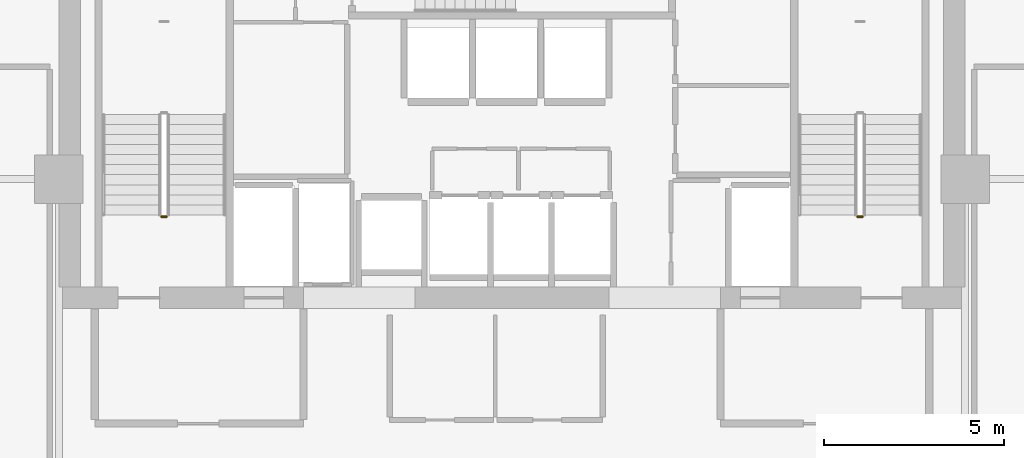
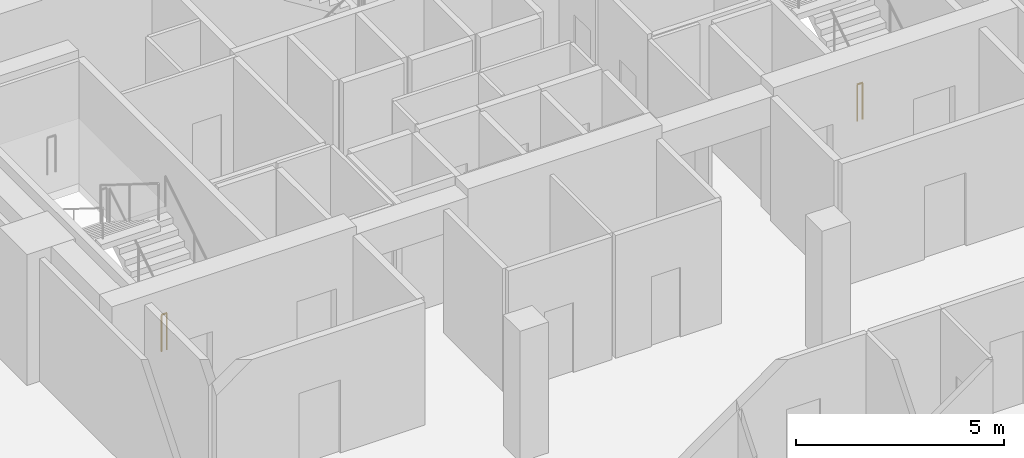
# One storey, part 22 of 24: 2 railings.
"""IFC4 building model written with IfcOpenShell, lengths in metres."""

import ifcopenshell
import ifcopenshell.guid

model = None  # the IFC model being written
_history = None  # IfcOwnerHistory: only IFC2X3 demands one
_inside = {}  # id of a spatial element -> (the spatial element, [elements in it])
_under = {}  # id of a project, library or spatial element -> (it, [spatial elements below it])
_declared = {}  # id of a project -> (the project, [libraries it declares])
_typed = {}  # id of a type object -> (the type object, [elements of that type])
_made_of = {}  # id of a material, layer set ... -> (it, [elements and type objects made of it])


def new_model(schema):
    """Start an empty IFC model of exactly this schema.

    Asked for "IFC4X3", IfcOpenShell would pick the latest addendum, in which some entities
    have other attributes; the version numbers below select the first issue.
    IFC2X3 requires an IfcOwnerHistory on every rooted entity: one is made here for all.
    """
    global model, _history
    if schema == "IFC4X3":
        model = ifcopenshell.file(schema_version=(4, 3, 0, 0))
    else:
        model = ifcopenshell.file(schema=schema)
    _inside.clear()
    _under.clear()
    _declared.clear()
    _typed.clear()
    _made_of.clear()
    _history = None
    if model.schema == "IFC2X3":
        org = make("IfcOrganization", Name="unknown")
        user = make(
            "IfcPersonAndOrganization",
            ThePerson=make("IfcPerson", FamilyName="unknown"),
            TheOrganization=org,
        )
        app = make(
            "IfcApplication",
            ApplicationDeveloper=org,
            Version="unknown",
            ApplicationFullName="unknown",
            ApplicationIdentifier="unknown",
        )
        _history = make(
            "IfcOwnerHistory",
            OwningUser=user,
            OwningApplication=app,
            ChangeAction="ADDED",
            CreationDate=0,
        )
    return model


def make(cls, **values):
    """One entity of the class cls with the attributes given. An attribute that is None is left unset."""
    return model.create_entity(
        cls, **{name: value for name, value in values.items() if value is not None}
    )


def rooted(cls, **values):
    """An entity with a GlobalId (a new one), such as an element, a storey or a relation."""
    return make(cls, GlobalId=ifcopenshell.guid.new(), OwnerHistory=_history, **values)


def si_unit(unit_type, name, prefix=None):
    """IfcSIUnit, for example si_unit("LENGTHUNIT", "METRE", prefix="MILLI")."""
    return make("IfcSIUnit", UnitType=unit_type, Prefix=prefix, Name=name)


def assignment(units):
    """IfcUnitAssignment: the units of a project."""
    return None if units is None else make("IfcUnitAssignment", Units=units)


def point(xyz):
    """IfcCartesianPoint."""
    return None if xyz is None else make("IfcCartesianPoint", Coordinates=xyz)


def direction(xyz):
    """IfcDirection."""
    return None if xyz is None else make("IfcDirection", DirectionRatios=xyz)


def frame(location, z_axis=None, x_axis=None):
    """IfcAxis2Placement3D, a coordinate frame: its origin and axes. An axis left out is left unset."""
    return make(
        "IfcAxis2Placement3D",
        Location=point(location),
        Axis=direction(z_axis),
        RefDirection=direction(x_axis),
    )


def frame_2d(location, x_axis=None):
    """IfcAxis2Placement2D, a coordinate frame in the plane: its origin and x axis."""
    return make(
        "IfcAxis2Placement2D", Location=point(location), RefDirection=direction(x_axis)
    )


def origin():
    """The frame at (0, 0, 0) with its axes left unset."""
    return frame((0.0, 0.0, 0.0))


def origin_2d():
    """The frame at (0, 0) in the plane with its x axis left unset."""
    return frame_2d((0.0, 0.0))


def place(relative_to, where):
    """IfcLocalPlacement: puts the frame where relative to a parent placement (None: the world)."""
    return make(
        "IfcLocalPlacement", PlacementRelTo=relative_to, RelativePlacement=where
    )


def context(
    kind, dimensions, precision=None, world=None, true_north=None, identifier=None
):
    """IfcGeometricRepresentationContext, for example the 3D "Model" context."""
    return make(
        "IfcGeometricRepresentationContext",
        ContextIdentifier=identifier,
        ContextType=kind,
        CoordinateSpaceDimension=dimensions,
        Precision=precision,
        WorldCoordinateSystem=world,
        TrueNorth=true_north,
    )


def subcontext(parent, identifier, kind, view, scale=None):
    """IfcGeometricRepresentationSubContext, for example "Body" below "Model"."""
    return make(
        "IfcGeometricRepresentationSubContext",
        ContextIdentifier=identifier,
        ContextType=kind,
        ParentContext=parent,
        TargetScale=scale,
        TargetView=view,
    )


def project(units=None, contexts=None):
    """IfcProject with its units and contexts."""
    return rooted(
        "IfcProject",
        Name="project",
        RepresentationContexts=contexts,
        UnitsInContext=assignment(units),
    )


def spatial(cls, under=None, at=None, **own):
    """A site, building, storey or space (cls), placed at a placement, below another one or the project."""
    s = rooted(cls, ObjectPlacement=at, **own)
    if under is not None:
        _under.setdefault(under.id(), (under, []))[1].append(s)
    return s


def profile(cls, at=None, kind="AREA", **sizes):
    """A parametric profile (cls). Its sizes go by their IFC names, for example OverallWidth=200.0."""
    return make(cls, ProfileType=kind, Position=at, **sizes)


def circle(**sizes):
    """IfcCircleProfileDef."""
    return profile("IfcCircleProfileDef", **sizes)


def extrude(swept, where, along, depth):
    """IfcExtrudedAreaSolid: the profile swept, set in the frame where, extruded along a direction by depth."""
    return make(
        "IfcExtrudedAreaSolid",
        SweptArea=swept,
        Position=where,
        ExtrudedDirection=direction(along),
        Depth=depth,
    )


def shape(context_of_items, identifier, shape_type, items):
    """IfcShapeRepresentation: the items that make up one representation, for example the "Body"."""
    return make(
        "IfcShapeRepresentation",
        ContextOfItems=context_of_items,
        RepresentationIdentifier=identifier,
        RepresentationType=shape_type,
        Items=items,
    )


def material(Name=None, Category=None):
    """IfcMaterial."""
    return make("IfcMaterial", Name=Name, Category=Category)


def made_of(thing, what):
    """Note that an element or type object is made of a material, layer set ...; save() writes the relation."""
    if what is not None:
        _made_of.setdefault(what.id(), (what, []))[1].append(thing)
    return thing


def type_object(cls, material=None, **own):
    """A type object (cls), such as IfcWallType, which elements share."""
    return made_of(rooted(cls, **own), material)


def element(
    cls,
    number,
    at=None,
    inside=None,
    cuts=None,
    type_object=None,
    material=None,
    context=None,
    identifier="Body",
    shape_type=None,
    held_by="IfcProductDefinitionShape",
    body=None,
    shapes=None,
    **own,
):
    """One element of the class cls, such as IfcWall. Its Tag is "e" and its number.

    at: its placement. inside: the storey or other place that contains it. cuts: it is an
    opening in that element (IfcRelVoidsElement). A single representation is given by context,
    identifier, shape_type and body (its items); several are given by shapes. held_by: the class
    of the entity that holds the representations. save() writes the other relations.
    """
    e = rooted(cls, Tag="e%d" % number, ObjectPlacement=at, **own)
    if body is not None:
        shapes = [shape(context, identifier, shape_type, body)]
    if shapes is not None:
        e.Representation = make(held_by, Representations=shapes)
    if inside is not None:
        _inside.setdefault(inside.id(), (inside, []))[1].append(e)
    if cuts is not None:
        rooted(
            "IfcRelVoidsElement", RelatingBuildingElement=cuts, RelatedOpeningElement=e
        )
    if type_object is not None:
        _typed.setdefault(type_object.id(), (type_object, []))[1].append(e)
    return made_of(e, material)


def aggregate(whole, parts):
    """IfcRelAggregates: a whole, such as a stair, and the parts it consists of."""
    return rooted("IfcRelAggregates", RelatingObject=whole, RelatedObjects=parts)


def save(model, path):
    """Write the relations noted so far, then the file.

    IfcRelAggregates (storeys below a building ...), IfcRelContainedInSpatialStructure (elements
    in a storey), IfcRelDefinesByType, IfcRelAssociatesMaterial and IfcRelDeclares: one each for
    every whole, place, type object, material and project.
    """
    for whole, parts in _under.values():
        aggregate(whole, parts)
    for where, things in _inside.values():
        rooted(
            "IfcRelContainedInSpatialStructure",
            RelatedElements=things,
            RelatingStructure=where,
        )
    for kind, things in _typed.values():
        rooted("IfcRelDefinesByType", RelatedObjects=things, RelatingType=kind)
    for what, things in _made_of.values():
        rooted("IfcRelAssociatesMaterial", RelatedObjects=things, RelatingMaterial=what)
    for by, libraries in _declared.values():
        rooted("IfcRelDeclares", RelatingContext=by, RelatedDefinitions=libraries)
    model.write(path)


model = new_model("IFC4")

# Units and contexts
model_context = context("Model", 3, precision=1e-05, world=origin(), true_north=direction((0.0, 1.0)))
body_context = subcontext(model_context, "Body", "Model", "MODEL_VIEW")
ifc_project = project(units=[si_unit("LENGTHUNIT", "METRE"), si_unit("AREAUNIT", "SQUARE_METRE"), si_unit("VOLUMEUNIT", "CUBIC_METRE"), si_unit("PLANEANGLEUNIT", "RADIAN"), si_unit("MASSUNIT", "GRAM", prefix="KILO")], contexts=[model_context])

# Site, building, storey
site_placement = place(None, origin())
site = spatial("IfcSite", under=ifc_project, at=site_placement, CompositionType="ELEMENT")
building_placement = place(site_placement, origin())
building = spatial("IfcBuilding", under=site, at=building_placement, Name="Maruvema Waterfront Hotel and Observation Tower", CompositionType="ELEMENT")
storey_placement = place(building_placement, frame((0.0, 0.0, 325.85009765625)))
storey = spatial("IfcBuildingStorey", under=building, at=storey_placement, Name="L80", CompositionType="ELEMENT", Elevation=325.85009765625)

# Railings
ifc_material = material(Name="Brushed stainless steel Grade 316", Category="steel")
railing_type = type_object("IfcRailingType", Name="Ramp and Terrace Guard Balustrade 1100 mm", PredefinedType="BALUSTRADE", material=ifc_material)
railing_1_placement = place(storey_placement, frame((28.199951171875, 43.949951171875, 0.0)))
element("IfcRailing", 1, at=railing_1_placement, inside=storey, type_object=railing_type, Name="L80 ST-01 stair guard 4", PredefinedType="BALUSTRADE", context=body_context, shape_type="SweptSolid", body=[
    extrude(circle(Radius=0.02392578125, at=origin_2d()), frame((0.0, 0.0, 1.076171875), z_axis=(-1.0, 0.0, 0.0), x_axis=(0.0, -1.0, 0.0)), (0.0, 0.0, 1.0), 0.14990234375),
    extrude(circle(Radius=0.02099609375, at=origin_2d()), origin(), (0.0, 0.0, 1.0), 1.052001953125),
    extrude(circle(Radius=0.02099609375, at=origin_2d()), frame((-0.14990234375, 0.0, 0.0)), (0.0, 0.0, 1.0), 1.052001953125),
])
railing_2_placement = place(storey_placement, frame((47.550048828125, 43.949951171875, 0.0)))
element("IfcRailing", 2, at=railing_2_placement, inside=storey, type_object=railing_type, Name="L80 ST-03 stair guard 4", PredefinedType="BALUSTRADE", context=body_context, shape_type="SweptSolid", body=[
    extrude(circle(Radius=0.02392578125, at=origin_2d()), frame((0.0, 0.0, 1.076171875), z_axis=(-1.0, 0.0, 0.0), x_axis=(0.0, -1.0, 0.0)), (0.0, 0.0, 1.0), 0.150146484375),
    extrude(circle(Radius=0.02099609375, at=origin_2d()), origin(), (0.0, 0.0, 1.0), 1.052001953125),
    extrude(circle(Radius=0.02099609375, at=origin_2d()), frame((-0.150146484375, 0.0, 0.0)), (0.0, 0.0, 1.0), 1.052001953125),
])

save(model, "model.ifc")
